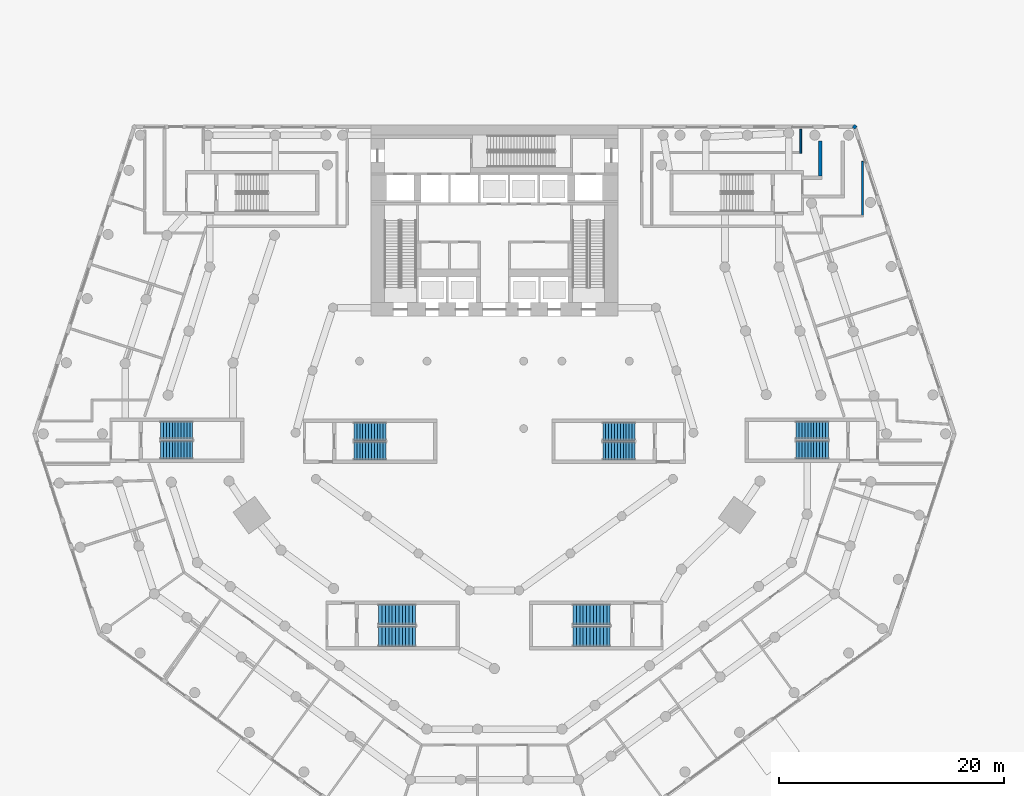
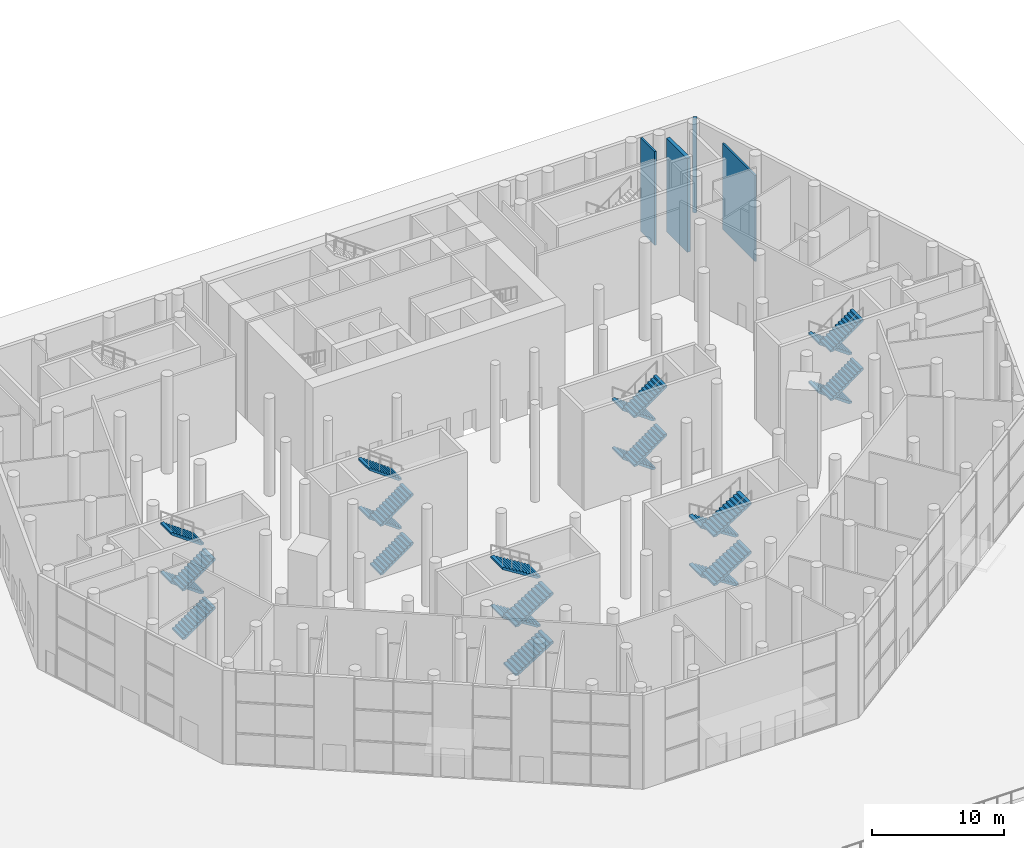
# One storey, part 17 of 25: 24 stair flights, 4 walls, 6 elements without a shape of their own.
"""IFC4 building model written with IfcOpenShell, lengths in metres."""

from ifc_helpers import new_model, si_unit, direction, frame, frame_2d, origin, place, context, subcontext, project, spatial, polyline, rectangle, outline, extrude, material, layer, layer_set, type_object, element, aggregate, save


model = new_model("IFC4")

# Units and contexts
model_context = context("Model", 3, precision=1e-05, world=origin(), true_north=direction((0.0, 1.0)))
body_context = subcontext(model_context, "Body", "Model", "MODEL_VIEW")
ifc_project = project(units=[si_unit("LENGTHUNIT", "METRE"), si_unit("AREAUNIT", "SQUARE_METRE"), si_unit("VOLUMEUNIT", "CUBIC_METRE"), si_unit("PLANEANGLEUNIT", "RADIAN"), si_unit("MASSUNIT", "GRAM", prefix="KILO")], contexts=[model_context])

# Site, building, storey
site_placement = place(None, origin())
site = spatial("IfcSite", under=ifc_project, at=site_placement, CompositionType="ELEMENT")
building_placement = place(site_placement, origin())
building = spatial("IfcBuilding", under=site, at=building_placement, Name="White Candle Pilgrim Tower", CompositionType="ELEMENT")
storey_placement = place(building_placement, origin())
storey = spatial("IfcBuildingStorey", under=building, at=storey_placement, Name="L00", CompositionType="ELEMENT", Elevation=0.0)

# Walls
ifc_material_1 = material(Name="Precast concrete C40/50", Category="concrete")
ifc_layer_1 = layer(ifc_material_1, 0.320068359375)
ifc_layer_set_1 = layer_set([ifc_layer_1], Name="Facade wall EW3 precast concrete C40/50 and stone-faced podium wall")
wall_type_1 = type_object("IfcWallType", Name="Facade wall EW3 precast concrete C40/50 and stone-faced podium wall", PredefinedType="SOLIDWALL", material=ifc_layer_set_1)
wall_1_placement = place(storey_placement, frame((102.16259765625, 87.751953125, 0.0), z_axis=(0.0, 0.0, 1.0), x_axis=(-0.809087927272, 0.587687609145, 0.0)))
element("IfcWall", 1, at=wall_1_placement, inside=storey, type_object=wall_type_1, Name="Corner pier L00 ENE", PredefinedType="SOLIDWALL", context=body_context, shape_type="SweptSolid", body=[
    extrude(rectangle(XDim=0.300048828125, YDim=0.320068359375, at=frame_2d((0.14990234375, 0.0))), origin(), (0.0, 0.0, 1.0), 8.64990234375),
])
ifc_material_2 = material(Name="Gypsum board on steel studs", Category="steel")
ifc_layer_2 = layer(ifc_material_2, 0.300048828125)
ifc_layer_set_2 = layer_set([ifc_layer_2], Name="Lobby wall 300 mm REI 240")
wall_type_2 = type_object("IfcWallType", Name="Lobby wall 300 mm REI 240", PredefinedType="PARTITIONING", material=ifc_layer_set_2)
wall_2_placement = place(storey_placement, frame((99.0, 83.449951171875, 0.0), z_axis=(0.0, 0.0, 1.0), x_axis=(0.0, 1.0, 0.0)))
element("IfcWall", 2, at=wall_2_placement, inside=storey, type_object=wall_type_2, Name="WL-L00-C84", PredefinedType="PARTITIONING", context=body_context, shape_type="SweptSolid", body=[
    extrude(rectangle(XDim=3.150146484375, YDim=0.300048828125, at=frame_2d((1.5751953125, 0.0))), origin(), (0.0, 0.0, 1.0), 8.64990234375),
])
ifc_layer_3 = layer(ifc_material_2, 0.14990234375)
ifc_layer_set_3 = layer_set([ifc_layer_3], Name="Partition 150 mm EI 60")
wall_type_3 = type_object("IfcWallType", Name="Partition 150 mm EI 60", PredefinedType="PARTITIONING", material=ifc_layer_set_3)
wall_3_placement = place(storey_placement, frame((97.25, 87.610107421875, 0.0), z_axis=(0.0, 0.0, 1.0), x_axis=(0.0, -1.0, 0.0)))
element("IfcWall", 3, at=wall_3_placement, inside=storey, type_object=wall_type_3, Name="WL-L00-P063", PredefinedType="PARTITIONING", context=body_context, shape_type="SweptSolid", body=[
    extrude(rectangle(XDim=2.1201171875, YDim=0.14990234375, at=frame_2d((1.06005859375, 0.0))), origin(), (0.0, 0.0, 1.0), 8.64990234375),
])
wall_4_placement = place(storey_placement, frame((102.75, 79.840087890625, 0.0), z_axis=(0.0, 0.0, 1.0), x_axis=(0.0, 1.0, 0.0)))
element("IfcWall", 4, at=wall_4_placement, inside=storey, type_object=wall_type_3, Name="WL-L00-P068", PredefinedType="PARTITIONING", context=body_context, shape_type="SweptSolid", body=[
    extrude(rectangle(XDim=4.940185546875, YDim=0.14990234375, at=frame_2d((2.47021484375, 0.0))), origin(), (0.0, 0.0, 1.0), 7.949951171875),
])

# Stair, stair flights
ifc_material_3 = material(Name="Concrete C40/50", Category="concrete")
stair_type_1 = type_object("IfcStairType", Name="Exit stair 4 flight width 1600 mm", PredefinedType="HALF_TURN_STAIR", material=ifc_material_3)
stair_1_placement = place(storey_placement, origin())
stair_1 = element("IfcStair", 5, at=stair_1_placement, inside=storey, type_object=stair_type_1, Name="L00 stair 4", PredefinedType="NOTDEFINED")
ifc_layer_4 = layer(ifc_material_3, 0.14990234375)
ifc_layer_set_4 = layer_set([ifc_layer_4], Name="Stair flight Concrete C40/50")
stair_flight_type = type_object("IfcStairFlightType", Name="Stair flight Concrete C40/50", PredefinedType="STRAIGHT", material=ifc_layer_set_4)
stair_flight_1_placement = place(storey_placement, frame((82.5, 60.75, 0.0), z_axis=(0.0, 0.0, 1.0), x_axis=(-1.0, 0.0, 0.0)))
stair_flight_1 = element("IfcStairFlight", 6, at=stair_flight_1_placement, type_object=stair_flight_type, Name="ST4 flight 1", NumberOfRisers=12, NumberOfTreads=11, PredefinedType="NOTDEFINED", RiserHeight=0.1875, TreadLength=0.26, context=body_context, shape_type="SweptSolid", body=[
    extrude(outline(polyline([(0.0, 0.0), (0.0, 0.1875), (0.260009765625, 0.1875), (0.260009765625, 0.375), (0.52001953125, 0.375), (0.52001953125, 0.5625), (0.780029296875, 0.5625), (0.780029296875, 0.75), (1.0400390625, 0.75), (1.0400390625, 0.9375), (1.300048828125, 0.9375), (1.300048828125, 1.125), (1.56005859375, 1.125), (1.56005859375, 1.3125), (1.820068359375, 1.3125), (1.820068359375, 1.5), (2.080078125, 1.5), (2.080078125, 1.6875), (2.340087890625, 1.6875), (2.340087890625, 1.875), (2.60009765625, 1.875), (2.60009765625, 2.0625), (2.860107421875, 2.0625), (2.860107421875, 2.25), (2.860107421875, 1.877685546875), (0.25634765625, 0.0), (0.0, 0.0)])), frame((0.0, 0.800048828125, 0.0), z_axis=(0.0, -1.0, 0.0), x_axis=(1.0, 0.0, 0.0)), (0.0, 0.0, 1.0), 1.60009765625),
])
stair_flight_2_placement = place(storey_placement, frame((79.639892578125, 59.0, 2.25), z_axis=(0.0, 0.0, 1.0), x_axis=(1.0, 0.0, 0.0)))
stair_flight_2 = element("IfcStairFlight", 7, at=stair_flight_2_placement, type_object=stair_flight_type, Name="ST4 flight 2", NumberOfRisers=12, NumberOfTreads=11, PredefinedType="NOTDEFINED", RiserHeight=0.1875, TreadLength=0.26, context=body_context, shape_type="SweptSolid", body=[
    extrude(outline(polyline([(0.0, 0.0), (0.0, 0.1875), (0.260009765625, 0.1875), (0.260009765625, 0.375), (0.52001953125, 0.375), (0.52001953125, 0.5625), (0.780029296875, 0.5625), (0.780029296875, 0.75), (1.0400390625, 0.75), (1.0400390625, 0.9375), (1.300048828125, 0.9375), (1.300048828125, 1.125), (1.56005859375, 1.125), (1.56005859375, 1.3125), (1.820068359375, 1.3125), (1.820068359375, 1.5), (2.080078125, 1.5), (2.080078125, 1.6875), (2.340087890625, 1.6875), (2.340087890625, 1.875), (2.60009765625, 1.875), (2.60009765625, 2.0625), (2.860107421875, 2.0625), (2.860107421875, 2.25), (2.860107421875, 1.877685546875), (0.25634765625, 0.0), (0.0, 0.0)])), frame((0.0, 0.800048828125, 0.0), z_axis=(0.0, -1.0, 0.0), x_axis=(1.0, 0.0, 0.0)), (0.0, 0.0, 1.0), 1.60009765625),
])
stair_flight_3_placement = place(storey_placement, frame((82.5, 60.75, 4.5), z_axis=(0.0, 0.0, 1.0), x_axis=(-1.0, 0.0, 0.0)))
stair_flight_3 = element("IfcStairFlight", 8, at=stair_flight_3_placement, type_object=stair_flight_type, Name="ST4 flight 3", NumberOfRisers=12, NumberOfTreads=11, PredefinedType="NOTDEFINED", RiserHeight=0.1875, TreadLength=0.26, context=body_context, shape_type="SweptSolid", body=[
    extrude(outline(polyline([(0.0, 0.0), (0.0, 0.1875), (0.260009765625, 0.1875), (0.260009765625, 0.375), (0.52001953125, 0.375), (0.52001953125, 0.5625), (0.780029296875, 0.5625), (0.780029296875, 0.75), (1.0400390625, 0.75), (1.0400390625, 0.9375), (1.300048828125, 0.9375), (1.300048828125, 1.125), (1.56005859375, 1.125), (1.56005859375, 1.3125), (1.820068359375, 1.3125), (1.820068359375, 1.5), (2.080078125, 1.5), (2.080078125, 1.6875), (2.340087890625, 1.6875), (2.340087890625, 1.875), (2.60009765625, 1.875), (2.60009765625, 2.0625), (2.860107421875, 2.0625), (2.860107421875, 2.25), (2.860107421875, 1.877685546875), (0.25634765625, 0.0), (0.0, 0.0)])), frame((0.0, 0.800048828125, 0.0), z_axis=(0.0, -1.0, 0.0), x_axis=(1.0, 0.0, 0.0)), (0.0, 0.0, 1.0), 1.60009765625),
])
stair_flight_4_placement = place(storey_placement, frame((79.639892578125, 59.0, 6.75), z_axis=(0.0, 0.0, 1.0), x_axis=(1.0, 0.0, 0.0)))
stair_flight_4 = element("IfcStairFlight", 9, at=stair_flight_4_placement, type_object=stair_flight_type, Name="ST4 flight 4", NumberOfRisers=12, NumberOfTreads=11, PredefinedType="NOTDEFINED", RiserHeight=0.1875, TreadLength=0.26, context=body_context, shape_type="SweptSolid", body=[
    extrude(outline(polyline([(0.0, 0.0), (0.0, 0.1875), (0.260009765625, 0.1875), (0.260009765625, 0.375), (0.52001953125, 0.375), (0.52001953125, 0.5625), (0.780029296875, 0.5625), (0.780029296875, 0.75), (1.0400390625, 0.75), (1.0400390625, 0.9375), (1.300048828125, 0.9375), (1.300048828125, 1.125), (1.56005859375, 1.125), (1.56005859375, 1.3125), (1.820068359375, 1.3125), (1.820068359375, 1.5), (2.080078125, 1.5), (2.080078125, 1.6875), (2.340087890625, 1.6875), (2.340087890625, 1.875), (2.60009765625, 1.875), (2.60009765625, 2.0625), (2.860107421875, 2.0625), (2.860107421875, 2.25), (2.860107421875, 1.877685546875), (0.25634765625, 0.0), (0.0, 0.0)])), frame((0.0, 0.800048828125, 0.0), z_axis=(0.0, -1.0, 0.0), x_axis=(1.0, 0.0, 0.0)), (0.0, 0.0, 1.0), 1.60009765625),
])
aggregate(stair_1, [stair_flight_1, stair_flight_2, stair_flight_3, stair_flight_4])

stair_type_2 = type_object("IfcStairType", Name="Exit stair 5 flight width 1600 mm", PredefinedType="HALF_TURN_STAIR", material=ifc_material_3)
stair_2_placement = place(storey_placement, origin())
stair_2 = element("IfcStair", 10, at=stair_2_placement, inside=storey, type_object=stair_type_2, Name="L00 stair 5", PredefinedType="NOTDEFINED")
stair_flight_5_placement = place(storey_placement, frame((57.5, 59.0, 0.0), z_axis=(0.0, 0.0, 1.0), x_axis=(1.0, 0.0, 0.0)))
stair_flight_5 = element("IfcStairFlight", 11, at=stair_flight_5_placement, type_object=stair_flight_type, Name="ST5 flight 1", NumberOfRisers=12, NumberOfTreads=11, PredefinedType="NOTDEFINED", RiserHeight=0.1875, TreadLength=0.26, context=body_context, shape_type="SweptSolid", body=[
    extrude(outline(polyline([(0.0, 0.0), (0.0, 0.1875), (0.260009765625, 0.1875), (0.260009765625, 0.375), (0.52001953125, 0.375), (0.52001953125, 0.5625), (0.780029296875, 0.5625), (0.780029296875, 0.75), (1.0400390625, 0.75), (1.0400390625, 0.9375), (1.300048828125, 0.9375), (1.300048828125, 1.125), (1.56005859375, 1.125), (1.56005859375, 1.3125), (1.820068359375, 1.3125), (1.820068359375, 1.5), (2.080078125, 1.5), (2.080078125, 1.6875), (2.340087890625, 1.6875), (2.340087890625, 1.875), (2.60009765625, 1.875), (2.60009765625, 2.0625), (2.860107421875, 2.0625), (2.860107421875, 2.25), (2.860107421875, 1.877685546875), (0.25634765625, 0.0), (0.0, 0.0)])), frame((0.0, 0.800048828125, 0.0), z_axis=(0.0, -1.0, 0.0), x_axis=(1.0, 0.0, 0.0)), (0.0, 0.0, 1.0), 1.60009765625),
])
stair_flight_6_placement = place(storey_placement, frame((60.360107421875, 60.75, 2.25), z_axis=(0.0, 0.0, 1.0), x_axis=(-1.0, 0.0, 0.0)))
stair_flight_6 = element("IfcStairFlight", 12, at=stair_flight_6_placement, type_object=stair_flight_type, Name="ST5 flight 2", NumberOfRisers=12, NumberOfTreads=11, PredefinedType="NOTDEFINED", RiserHeight=0.1875, TreadLength=0.26, context=body_context, shape_type="SweptSolid", body=[
    extrude(outline(polyline([(0.0, 0.0), (0.0, 0.1875), (0.260009765625, 0.1875), (0.260009765625, 0.375), (0.52001953125, 0.375), (0.52001953125, 0.5625), (0.780029296875, 0.5625), (0.780029296875, 0.75), (1.0400390625, 0.75), (1.0400390625, 0.9375), (1.300048828125, 0.9375), (1.300048828125, 1.125), (1.56005859375, 1.125), (1.56005859375, 1.3125), (1.820068359375, 1.3125), (1.820068359375, 1.5), (2.080078125, 1.5), (2.080078125, 1.6875), (2.340087890625, 1.6875), (2.340087890625, 1.875), (2.60009765625, 1.875), (2.60009765625, 2.0625), (2.860107421875, 2.0625), (2.860107421875, 2.25), (2.860107421875, 1.877685546875), (0.25634765625, 0.0), (0.0, 0.0)])), frame((0.0, 0.800048828125, 0.0), z_axis=(0.0, -1.0, 0.0), x_axis=(1.0, 0.0, 0.0)), (0.0, 0.0, 1.0), 1.60009765625),
])
stair_flight_7_placement = place(storey_placement, frame((57.5, 59.0, 4.5), z_axis=(0.0, 0.0, 1.0), x_axis=(1.0, 0.0, 0.0)))
stair_flight_7 = element("IfcStairFlight", 13, at=stair_flight_7_placement, type_object=stair_flight_type, Name="ST5 flight 3", NumberOfRisers=12, NumberOfTreads=11, PredefinedType="NOTDEFINED", RiserHeight=0.1875, TreadLength=0.26, context=body_context, shape_type="SweptSolid", body=[
    extrude(outline(polyline([(0.0, 0.0), (0.0, 0.1875), (0.260009765625, 0.1875), (0.260009765625, 0.375), (0.52001953125, 0.375), (0.52001953125, 0.5625), (0.780029296875, 0.5625), (0.780029296875, 0.75), (1.0400390625, 0.75), (1.0400390625, 0.9375), (1.300048828125, 0.9375), (1.300048828125, 1.125), (1.56005859375, 1.125), (1.56005859375, 1.3125), (1.820068359375, 1.3125), (1.820068359375, 1.5), (2.080078125, 1.5), (2.080078125, 1.6875), (2.340087890625, 1.6875), (2.340087890625, 1.875), (2.60009765625, 1.875), (2.60009765625, 2.0625), (2.860107421875, 2.0625), (2.860107421875, 2.25), (2.860107421875, 1.877685546875), (0.25634765625, 0.0), (0.0, 0.0)])), frame((0.0, 0.800048828125, 0.0), z_axis=(0.0, -1.0, 0.0), x_axis=(1.0, 0.0, 0.0)), (0.0, 0.0, 1.0), 1.60009765625),
])
stair_flight_8_placement = place(storey_placement, frame((60.360107421875, 60.75, 6.75), z_axis=(0.0, 0.0, 1.0), x_axis=(-1.0, 0.0, 0.0)))
stair_flight_8 = element("IfcStairFlight", 14, at=stair_flight_8_placement, type_object=stair_flight_type, Name="ST5 flight 4", NumberOfRisers=12, NumberOfTreads=11, PredefinedType="NOTDEFINED", RiserHeight=0.1875, TreadLength=0.26, context=body_context, shape_type="SweptSolid", body=[
    extrude(outline(polyline([(0.0, 0.0), (0.0, 0.1875), (0.260009765625, 0.1875), (0.260009765625, 0.375), (0.52001953125, 0.375), (0.52001953125, 0.5625), (0.780029296875, 0.5625), (0.780029296875, 0.75), (1.0400390625, 0.75), (1.0400390625, 0.9375), (1.300048828125, 0.9375), (1.300048828125, 1.125), (1.56005859375, 1.125), (1.56005859375, 1.3125), (1.820068359375, 1.3125), (1.820068359375, 1.5), (2.080078125, 1.5), (2.080078125, 1.6875), (2.340087890625, 1.6875), (2.340087890625, 1.875), (2.60009765625, 1.875), (2.60009765625, 2.0625), (2.860107421875, 2.0625), (2.860107421875, 2.25), (2.860107421875, 1.877685546875), (0.25634765625, 0.0), (0.0, 0.0)])), frame((0.0, 0.800048828125, 0.0), z_axis=(0.0, -1.0, 0.0), x_axis=(1.0, 0.0, 0.0)), (0.0, 0.0, 1.0), 1.60009765625),
])
aggregate(stair_2, [stair_flight_5, stair_flight_6, stair_flight_7, stair_flight_8])

stair_type_3 = type_object("IfcStairType", Name="Exit stair 6 flight width 1800 mm", PredefinedType="HALF_TURN_STAIR", material=ifc_material_3)
stair_3_placement = place(storey_placement, origin())
stair_3 = element("IfcStair", 15, at=stair_3_placement, inside=storey, type_object=stair_type_3, Name="L00 stair 6", PredefinedType="NOTDEFINED")
stair_flight_9_placement = place(storey_placement, frame((59.699951171875, 42.5, 0.0), z_axis=(0.0, 0.0, 1.0), x_axis=(1.0, 0.0, 0.0)))
stair_flight_9 = element("IfcStairFlight", 16, at=stair_flight_9_placement, type_object=stair_flight_type, Name="ST6 flight 1", NumberOfRisers=12, NumberOfTreads=11, PredefinedType="NOTDEFINED", RiserHeight=0.1875, TreadLength=0.3, context=body_context, shape_type="SweptSolid", body=[
    extrude(outline(polyline([(0.0, 0.0), (0.0, 0.1875), (0.300048828125, 0.1875), (0.300048828125, 0.375), (0.60009765625, 0.375), (0.60009765625, 0.5625), (0.89990234375, 0.5625), (0.89990234375, 0.75), (1.199951171875, 0.75), (1.199951171875, 0.9375), (1.5, 0.9375), (1.5, 1.125), (1.800048828125, 1.125), (1.800048828125, 1.3125), (2.10009765625, 1.3125), (2.10009765625, 1.5), (2.39990234375, 1.5), (2.39990234375, 1.6875), (2.699951171875, 1.6875), (2.699951171875, 1.875), (3.0, 1.875), (3.0, 2.0625), (3.300048828125, 2.0625), (3.300048828125, 2.25), (3.300048828125, 1.8857421875), (0.28271484375, 0.0), (0.0, 0.0)])), frame((0.0, 0.89990234375, 0.0), z_axis=(0.0, -1.0, 0.0), x_axis=(1.0, 0.0, 0.0)), (0.0, 0.0, 1.0), 1.800048828125),
])
stair_flight_10_placement = place(storey_placement, frame((63.0, 44.449951171875, 2.25), z_axis=(0.0, 0.0, 1.0), x_axis=(-1.0, 0.0, 0.0)))
stair_flight_10 = element("IfcStairFlight", 17, at=stair_flight_10_placement, type_object=stair_flight_type, Name="ST6 flight 2", NumberOfRisers=12, NumberOfTreads=11, PredefinedType="NOTDEFINED", RiserHeight=0.1875, TreadLength=0.3, context=body_context, shape_type="SweptSolid", body=[
    extrude(outline(polyline([(0.0, 0.0), (0.0, 0.1875), (0.300048828125, 0.1875), (0.300048828125, 0.375), (0.60009765625, 0.375), (0.60009765625, 0.5625), (0.89990234375, 0.5625), (0.89990234375, 0.75), (1.199951171875, 0.75), (1.199951171875, 0.9375), (1.5, 0.9375), (1.5, 1.125), (1.800048828125, 1.125), (1.800048828125, 1.3125), (2.10009765625, 1.3125), (2.10009765625, 1.5), (2.39990234375, 1.5), (2.39990234375, 1.6875), (2.699951171875, 1.6875), (2.699951171875, 1.875), (3.0, 1.875), (3.0, 2.0625), (3.300048828125, 2.0625), (3.300048828125, 2.25), (3.300048828125, 1.8857421875), (0.28271484375, 0.0), (0.0, 0.0)])), frame((0.0, 0.89990234375, 0.0), z_axis=(0.0, -1.0, 0.0), x_axis=(1.0, 0.0, 0.0)), (0.0, 0.0, 1.0), 1.800048828125),
])
stair_flight_11_placement = place(storey_placement, frame((59.699951171875, 42.5, 4.5), z_axis=(0.0, 0.0, 1.0), x_axis=(1.0, 0.0, 0.0)))
stair_flight_11 = element("IfcStairFlight", 18, at=stair_flight_11_placement, type_object=stair_flight_type, Name="ST6 flight 3", NumberOfRisers=12, NumberOfTreads=11, PredefinedType="NOTDEFINED", RiserHeight=0.1875, TreadLength=0.3, context=body_context, shape_type="SweptSolid", body=[
    extrude(outline(polyline([(0.0, 0.0), (0.0, 0.1875), (0.300048828125, 0.1875), (0.300048828125, 0.375), (0.60009765625, 0.375), (0.60009765625, 0.5625), (0.89990234375, 0.5625), (0.89990234375, 0.75), (1.199951171875, 0.75), (1.199951171875, 0.9375), (1.5, 0.9375), (1.5, 1.125), (1.800048828125, 1.125), (1.800048828125, 1.3125), (2.10009765625, 1.3125), (2.10009765625, 1.5), (2.39990234375, 1.5), (2.39990234375, 1.6875), (2.699951171875, 1.6875), (2.699951171875, 1.875), (3.0, 1.875), (3.0, 2.0625), (3.300048828125, 2.0625), (3.300048828125, 2.25), (3.300048828125, 1.8857421875), (0.28271484375, 0.0), (0.0, 0.0)])), frame((0.0, 0.89990234375, 0.0), z_axis=(0.0, -1.0, 0.0), x_axis=(1.0, 0.0, 0.0)), (0.0, 0.0, 1.0), 1.800048828125),
])
stair_flight_12_placement = place(storey_placement, frame((63.0, 44.449951171875, 6.75), z_axis=(0.0, 0.0, 1.0), x_axis=(-1.0, 0.0, 0.0)))
stair_flight_12 = element("IfcStairFlight", 19, at=stair_flight_12_placement, type_object=stair_flight_type, Name="ST6 flight 4", NumberOfRisers=12, NumberOfTreads=11, PredefinedType="NOTDEFINED", RiserHeight=0.1875, TreadLength=0.3, context=body_context, shape_type="SweptSolid", body=[
    extrude(outline(polyline([(0.0, 0.0), (0.0, 0.1875), (0.300048828125, 0.1875), (0.300048828125, 0.375), (0.60009765625, 0.375), (0.60009765625, 0.5625), (0.89990234375, 0.5625), (0.89990234375, 0.75), (1.199951171875, 0.75), (1.199951171875, 0.9375), (1.5, 0.9375), (1.5, 1.125), (1.800048828125, 1.125), (1.800048828125, 1.3125), (2.10009765625, 1.3125), (2.10009765625, 1.5), (2.39990234375, 1.5), (2.39990234375, 1.6875), (2.699951171875, 1.6875), (2.699951171875, 1.875), (3.0, 1.875), (3.0, 2.0625), (3.300048828125, 2.0625), (3.300048828125, 2.25), (3.300048828125, 1.8857421875), (0.28271484375, 0.0), (0.0, 0.0)])), frame((0.0, 0.89990234375, 0.0), z_axis=(0.0, -1.0, 0.0), x_axis=(1.0, 0.0, 0.0)), (0.0, 0.0, 1.0), 1.800048828125),
])
aggregate(stair_3, [stair_flight_9, stair_flight_10, stair_flight_11, stair_flight_12])

stair_type_4 = type_object("IfcStairType", Name="Exit stair 7 flight width 1800 mm", PredefinedType="HALF_TURN_STAIR", material=ifc_material_3)
stair_4_placement = place(storey_placement, origin())
stair_4 = element("IfcStair", 20, at=stair_4_placement, inside=storey, type_object=stair_type_4, Name="L00 stair 7", PredefinedType="NOTDEFINED")
stair_flight_13_placement = place(storey_placement, frame((80.300048828125, 44.449951171875, 0.0), z_axis=(0.0, 0.0, 1.0), x_axis=(-1.0, 0.0, 0.0)))
stair_flight_13 = element("IfcStairFlight", 21, at=stair_flight_13_placement, type_object=stair_flight_type, Name="ST7 flight 1", NumberOfRisers=12, NumberOfTreads=11, PredefinedType="NOTDEFINED", RiserHeight=0.1875, TreadLength=0.3, context=body_context, shape_type="SweptSolid", body=[
    extrude(outline(polyline([(0.0, 0.0), (0.0, 0.1875), (0.300048828125, 0.1875), (0.300048828125, 0.375), (0.60009765625, 0.375), (0.60009765625, 0.5625), (0.89990234375, 0.5625), (0.89990234375, 0.75), (1.199951171875, 0.75), (1.199951171875, 0.9375), (1.5, 0.9375), (1.5, 1.125), (1.800048828125, 1.125), (1.800048828125, 1.3125), (2.10009765625, 1.3125), (2.10009765625, 1.5), (2.39990234375, 1.5), (2.39990234375, 1.6875), (2.699951171875, 1.6875), (2.699951171875, 1.875), (3.0, 1.875), (3.0, 2.0625), (3.300048828125, 2.0625), (3.300048828125, 2.25), (3.300048828125, 1.8857421875), (0.28271484375, 0.0), (0.0, 0.0)])), frame((0.0, 0.89990234375, 0.0), z_axis=(0.0, -1.0, 0.0), x_axis=(1.0, 0.0, 0.0)), (0.0, 0.0, 1.0), 1.800048828125),
])
stair_flight_14_placement = place(storey_placement, frame((77.0, 42.5, 2.25), z_axis=(0.0, 0.0, 1.0), x_axis=(1.0, 0.0, 0.0)))
stair_flight_14 = element("IfcStairFlight", 22, at=stair_flight_14_placement, type_object=stair_flight_type, Name="ST7 flight 2", NumberOfRisers=12, NumberOfTreads=11, PredefinedType="NOTDEFINED", RiserHeight=0.1875, TreadLength=0.3, context=body_context, shape_type="SweptSolid", body=[
    extrude(outline(polyline([(0.0, 0.0), (0.0, 0.1875), (0.300048828125, 0.1875), (0.300048828125, 0.375), (0.60009765625, 0.375), (0.60009765625, 0.5625), (0.89990234375, 0.5625), (0.89990234375, 0.75), (1.199951171875, 0.75), (1.199951171875, 0.9375), (1.5, 0.9375), (1.5, 1.125), (1.800048828125, 1.125), (1.800048828125, 1.3125), (2.10009765625, 1.3125), (2.10009765625, 1.5), (2.39990234375, 1.5), (2.39990234375, 1.6875), (2.699951171875, 1.6875), (2.699951171875, 1.875), (3.0, 1.875), (3.0, 2.0625), (3.300048828125, 2.0625), (3.300048828125, 2.25), (3.300048828125, 1.8857421875), (0.28271484375, 0.0), (0.0, 0.0)])), frame((0.0, 0.89990234375, 0.0), z_axis=(0.0, -1.0, 0.0), x_axis=(1.0, 0.0, 0.0)), (0.0, 0.0, 1.0), 1.800048828125),
])
stair_flight_15_placement = place(storey_placement, frame((80.300048828125, 44.449951171875, 4.5), z_axis=(0.0, 0.0, 1.0), x_axis=(-1.0, 0.0, 0.0)))
stair_flight_15 = element("IfcStairFlight", 23, at=stair_flight_15_placement, type_object=stair_flight_type, Name="ST7 flight 3", NumberOfRisers=12, NumberOfTreads=11, PredefinedType="NOTDEFINED", RiserHeight=0.1875, TreadLength=0.3, context=body_context, shape_type="SweptSolid", body=[
    extrude(outline(polyline([(0.0, 0.0), (0.0, 0.1875), (0.300048828125, 0.1875), (0.300048828125, 0.375), (0.60009765625, 0.375), (0.60009765625, 0.5625), (0.89990234375, 0.5625), (0.89990234375, 0.75), (1.199951171875, 0.75), (1.199951171875, 0.9375), (1.5, 0.9375), (1.5, 1.125), (1.800048828125, 1.125), (1.800048828125, 1.3125), (2.10009765625, 1.3125), (2.10009765625, 1.5), (2.39990234375, 1.5), (2.39990234375, 1.6875), (2.699951171875, 1.6875), (2.699951171875, 1.875), (3.0, 1.875), (3.0, 2.0625), (3.300048828125, 2.0625), (3.300048828125, 2.25), (3.300048828125, 1.8857421875), (0.28271484375, 0.0), (0.0, 0.0)])), frame((0.0, 0.89990234375, 0.0), z_axis=(0.0, -1.0, 0.0), x_axis=(1.0, 0.0, 0.0)), (0.0, 0.0, 1.0), 1.800048828125),
])
stair_flight_16_placement = place(storey_placement, frame((77.0, 42.5, 6.75), z_axis=(0.0, 0.0, 1.0), x_axis=(1.0, 0.0, 0.0)))
stair_flight_16 = element("IfcStairFlight", 24, at=stair_flight_16_placement, type_object=stair_flight_type, Name="ST7 flight 4", NumberOfRisers=12, NumberOfTreads=11, PredefinedType="NOTDEFINED", RiserHeight=0.1875, TreadLength=0.3, context=body_context, shape_type="SweptSolid", body=[
    extrude(outline(polyline([(0.0, 0.0), (0.0, 0.1875), (0.300048828125, 0.1875), (0.300048828125, 0.375), (0.60009765625, 0.375), (0.60009765625, 0.5625), (0.89990234375, 0.5625), (0.89990234375, 0.75), (1.199951171875, 0.75), (1.199951171875, 0.9375), (1.5, 0.9375), (1.5, 1.125), (1.800048828125, 1.125), (1.800048828125, 1.3125), (2.10009765625, 1.3125), (2.10009765625, 1.5), (2.39990234375, 1.5), (2.39990234375, 1.6875), (2.699951171875, 1.6875), (2.699951171875, 1.875), (3.0, 1.875), (3.0, 2.0625), (3.300048828125, 2.0625), (3.300048828125, 2.25), (3.300048828125, 1.8857421875), (0.28271484375, 0.0), (0.0, 0.0)])), frame((0.0, 0.89990234375, 0.0), z_axis=(0.0, -1.0, 0.0), x_axis=(1.0, 0.0, 0.0)), (0.0, 0.0, 1.0), 1.800048828125),
])
aggregate(stair_4, [stair_flight_13, stair_flight_14, stair_flight_15, stair_flight_16])

stair_type_5 = type_object("IfcStairType", Name="Exit stair 8 flight width 1600 mm", PredefinedType="HALF_TURN_STAIR", material=ifc_material_3)
stair_5_placement = place(storey_placement, origin())
stair_5 = element("IfcStair", 25, at=stair_5_placement, inside=storey, type_object=stair_type_5, Name="L00 stair 8", PredefinedType="NOTDEFINED")
stair_flight_17_placement = place(storey_placement, frame((40.300048828125, 59.10009765625, 0.0), z_axis=(0.0, 0.0, 1.0), x_axis=(1.0, 0.0, 0.0)))
stair_flight_17 = element("IfcStairFlight", 26, at=stair_flight_17_placement, type_object=stair_flight_type, Name="ST8 flight 1", NumberOfRisers=12, NumberOfTreads=11, PredefinedType="NOTDEFINED", RiserHeight=0.1875, TreadLength=0.26, context=body_context, shape_type="SweptSolid", body=[
    extrude(outline(polyline([(0.0, 0.0), (0.0, 0.1875), (0.260009765625, 0.1875), (0.260009765625, 0.375), (0.52001953125, 0.375), (0.52001953125, 0.5625), (0.780029296875, 0.5625), (0.780029296875, 0.75), (1.0400390625, 0.75), (1.0400390625, 0.9375), (1.300048828125, 0.9375), (1.300048828125, 1.125), (1.56005859375, 1.125), (1.56005859375, 1.3125), (1.820068359375, 1.3125), (1.820068359375, 1.5), (2.080078125, 1.5), (2.080078125, 1.6875), (2.340087890625, 1.6875), (2.340087890625, 1.875), (2.60009765625, 1.875), (2.60009765625, 2.0625), (2.860107421875, 2.0625), (2.860107421875, 2.25), (2.860107421875, 1.877685546875), (0.25634765625, 0.0), (0.0, 0.0)])), frame((0.0, 0.800048828125, 0.0), z_axis=(0.0, -1.0, 0.0), x_axis=(1.0, 0.0, 0.0)), (0.0, 0.0, 1.0), 1.60009765625),
])
stair_flight_18_placement = place(storey_placement, frame((43.159912109375, 60.85009765625, 2.25), z_axis=(0.0, 0.0, 1.0), x_axis=(-1.0, 0.0, 0.0)))
stair_flight_18 = element("IfcStairFlight", 27, at=stair_flight_18_placement, type_object=stair_flight_type, Name="ST8 flight 2", NumberOfRisers=12, NumberOfTreads=11, PredefinedType="NOTDEFINED", RiserHeight=0.1875, TreadLength=0.26, context=body_context, shape_type="SweptSolid", body=[
    extrude(outline(polyline([(0.0, 0.0), (0.0, 0.1875), (0.260009765625, 0.1875), (0.260009765625, 0.375), (0.52001953125, 0.375), (0.52001953125, 0.5625), (0.780029296875, 0.5625), (0.780029296875, 0.75), (1.0400390625, 0.75), (1.0400390625, 0.9375), (1.300048828125, 0.9375), (1.300048828125, 1.125), (1.56005859375, 1.125), (1.56005859375, 1.3125), (1.820068359375, 1.3125), (1.820068359375, 1.5), (2.080078125, 1.5), (2.080078125, 1.6875), (2.340087890625, 1.6875), (2.340087890625, 1.875), (2.60009765625, 1.875), (2.60009765625, 2.0625), (2.860107421875, 2.0625), (2.860107421875, 2.25), (2.860107421875, 1.877685546875), (0.25634765625, 0.0), (0.0, 0.0)])), frame((0.0, 0.800048828125, 0.0), z_axis=(0.0, -1.0, 0.0), x_axis=(1.0, 0.0, 0.0)), (0.0, 0.0, 1.0), 1.60009765625),
])
stair_flight_19_placement = place(storey_placement, frame((40.300048828125, 59.10009765625, 4.5), z_axis=(0.0, 0.0, 1.0), x_axis=(1.0, 0.0, 0.0)))
stair_flight_19 = element("IfcStairFlight", 28, at=stair_flight_19_placement, type_object=stair_flight_type, Name="ST8 flight 3", NumberOfRisers=12, NumberOfTreads=11, PredefinedType="NOTDEFINED", RiserHeight=0.1875, TreadLength=0.26, context=body_context, shape_type="SweptSolid", body=[
    extrude(outline(polyline([(0.0, 0.0), (0.0, 0.1875), (0.260009765625, 0.1875), (0.260009765625, 0.375), (0.52001953125, 0.375), (0.52001953125, 0.5625), (0.780029296875, 0.5625), (0.780029296875, 0.75), (1.0400390625, 0.75), (1.0400390625, 0.9375), (1.300048828125, 0.9375), (1.300048828125, 1.125), (1.56005859375, 1.125), (1.56005859375, 1.3125), (1.820068359375, 1.3125), (1.820068359375, 1.5), (2.080078125, 1.5), (2.080078125, 1.6875), (2.340087890625, 1.6875), (2.340087890625, 1.875), (2.60009765625, 1.875), (2.60009765625, 2.0625), (2.860107421875, 2.0625), (2.860107421875, 2.25), (2.860107421875, 1.877685546875), (0.25634765625, 0.0), (0.0, 0.0)])), frame((0.0, 0.800048828125, 0.0), z_axis=(0.0, -1.0, 0.0), x_axis=(1.0, 0.0, 0.0)), (0.0, 0.0, 1.0), 1.60009765625),
])
stair_flight_20_placement = place(storey_placement, frame((43.159912109375, 60.85009765625, 6.75), z_axis=(0.0, 0.0, 1.0), x_axis=(-1.0, 0.0, 0.0)))
stair_flight_20 = element("IfcStairFlight", 29, at=stair_flight_20_placement, type_object=stair_flight_type, Name="ST8 flight 4", NumberOfRisers=12, NumberOfTreads=11, PredefinedType="NOTDEFINED", RiserHeight=0.1875, TreadLength=0.26, context=body_context, shape_type="SweptSolid", body=[
    extrude(outline(polyline([(0.0, 0.0), (0.0, 0.1875), (0.260009765625, 0.1875), (0.260009765625, 0.375), (0.52001953125, 0.375), (0.52001953125, 0.5625), (0.780029296875, 0.5625), (0.780029296875, 0.75), (1.0400390625, 0.75), (1.0400390625, 0.9375), (1.300048828125, 0.9375), (1.300048828125, 1.125), (1.56005859375, 1.125), (1.56005859375, 1.3125), (1.820068359375, 1.3125), (1.820068359375, 1.5), (2.080078125, 1.5), (2.080078125, 1.6875), (2.340087890625, 1.6875), (2.340087890625, 1.875), (2.60009765625, 1.875), (2.60009765625, 2.0625), (2.860107421875, 2.0625), (2.860107421875, 2.25), (2.860107421875, 1.877685546875), (0.25634765625, 0.0), (0.0, 0.0)])), frame((0.0, 0.800048828125, 0.0), z_axis=(0.0, -1.0, 0.0), x_axis=(1.0, 0.0, 0.0)), (0.0, 0.0, 1.0), 1.60009765625),
])
aggregate(stair_5, [stair_flight_17, stair_flight_18, stair_flight_19, stair_flight_20])

stair_type_6 = type_object("IfcStairType", Name="Exit stair 9 flight width 1600 mm", PredefinedType="HALF_TURN_STAIR", material=ifc_material_3)
stair_6_placement = place(storey_placement, origin())
stair_6 = element("IfcStair", 30, at=stair_6_placement, inside=storey, type_object=stair_type_6, Name="L00 stair 9", PredefinedType="NOTDEFINED")
stair_flight_21_placement = place(storey_placement, frame((99.699951171875, 60.85009765625, 0.0), z_axis=(0.0, 0.0, 1.0), x_axis=(-1.0, 0.0, 0.0)))
stair_flight_21 = element("IfcStairFlight", 31, at=stair_flight_21_placement, type_object=stair_flight_type, Name="ST9 flight 1", NumberOfRisers=12, NumberOfTreads=11, PredefinedType="NOTDEFINED", RiserHeight=0.1875, TreadLength=0.26, context=body_context, shape_type="SweptSolid", body=[
    extrude(outline(polyline([(0.0, 0.0), (0.0, 0.1875), (0.260009765625, 0.1875), (0.260009765625, 0.375), (0.52001953125, 0.375), (0.52001953125, 0.5625), (0.780029296875, 0.5625), (0.780029296875, 0.75), (1.0400390625, 0.75), (1.0400390625, 0.9375), (1.300048828125, 0.9375), (1.300048828125, 1.125), (1.56005859375, 1.125), (1.56005859375, 1.3125), (1.820068359375, 1.3125), (1.820068359375, 1.5), (2.080078125, 1.5), (2.080078125, 1.6875), (2.340087890625, 1.6875), (2.340087890625, 1.875), (2.60009765625, 1.875), (2.60009765625, 2.0625), (2.860107421875, 2.0625), (2.860107421875, 2.25), (2.860107421875, 1.877685546875), (0.25634765625, 0.0), (0.0, 0.0)])), frame((0.0, 0.800048828125, 0.0), z_axis=(0.0, -1.0, 0.0), x_axis=(1.0, 0.0, 0.0)), (0.0, 0.0, 1.0), 1.60009765625),
])
stair_flight_22_placement = place(storey_placement, frame((96.840087890625, 59.10009765625, 2.25), z_axis=(0.0, 0.0, 1.0), x_axis=(1.0, 0.0, 0.0)))
stair_flight_22 = element("IfcStairFlight", 32, at=stair_flight_22_placement, type_object=stair_flight_type, Name="ST9 flight 2", NumberOfRisers=12, NumberOfTreads=11, PredefinedType="NOTDEFINED", RiserHeight=0.1875, TreadLength=0.26, context=body_context, shape_type="SweptSolid", body=[
    extrude(outline(polyline([(0.0, 0.0), (0.0, 0.1875), (0.260009765625, 0.1875), (0.260009765625, 0.375), (0.52001953125, 0.375), (0.52001953125, 0.5625), (0.780029296875, 0.5625), (0.780029296875, 0.75), (1.0400390625, 0.75), (1.0400390625, 0.9375), (1.300048828125, 0.9375), (1.300048828125, 1.125), (1.56005859375, 1.125), (1.56005859375, 1.3125), (1.820068359375, 1.3125), (1.820068359375, 1.5), (2.080078125, 1.5), (2.080078125, 1.6875), (2.340087890625, 1.6875), (2.340087890625, 1.875), (2.60009765625, 1.875), (2.60009765625, 2.0625), (2.860107421875, 2.0625), (2.860107421875, 2.25), (2.860107421875, 1.877685546875), (0.25634765625, 0.0), (0.0, 0.0)])), frame((0.0, 0.800048828125, 0.0), z_axis=(0.0, -1.0, 0.0), x_axis=(1.0, 0.0, 0.0)), (0.0, 0.0, 1.0), 1.60009765625),
])
stair_flight_23_placement = place(storey_placement, frame((99.699951171875, 60.85009765625, 4.5), z_axis=(0.0, 0.0, 1.0), x_axis=(-1.0, 0.0, 0.0)))
stair_flight_23 = element("IfcStairFlight", 33, at=stair_flight_23_placement, type_object=stair_flight_type, Name="ST9 flight 3", NumberOfRisers=12, NumberOfTreads=11, PredefinedType="NOTDEFINED", RiserHeight=0.1875, TreadLength=0.26, context=body_context, shape_type="SweptSolid", body=[
    extrude(outline(polyline([(0.0, 0.0), (0.0, 0.1875), (0.260009765625, 0.1875), (0.260009765625, 0.375), (0.52001953125, 0.375), (0.52001953125, 0.5625), (0.780029296875, 0.5625), (0.780029296875, 0.75), (1.0400390625, 0.75), (1.0400390625, 0.9375), (1.300048828125, 0.9375), (1.300048828125, 1.125), (1.56005859375, 1.125), (1.56005859375, 1.3125), (1.820068359375, 1.3125), (1.820068359375, 1.5), (2.080078125, 1.5), (2.080078125, 1.6875), (2.340087890625, 1.6875), (2.340087890625, 1.875), (2.60009765625, 1.875), (2.60009765625, 2.0625), (2.860107421875, 2.0625), (2.860107421875, 2.25), (2.860107421875, 1.877685546875), (0.25634765625, 0.0), (0.0, 0.0)])), frame((0.0, 0.800048828125, 0.0), z_axis=(0.0, -1.0, 0.0), x_axis=(1.0, 0.0, 0.0)), (0.0, 0.0, 1.0), 1.60009765625),
])
stair_flight_24_placement = place(storey_placement, frame((96.840087890625, 59.10009765625, 6.75), z_axis=(0.0, 0.0, 1.0), x_axis=(1.0, 0.0, 0.0)))
stair_flight_24 = element("IfcStairFlight", 34, at=stair_flight_24_placement, type_object=stair_flight_type, Name="ST9 flight 4", NumberOfRisers=12, NumberOfTreads=11, PredefinedType="NOTDEFINED", RiserHeight=0.1875, TreadLength=0.26, context=body_context, shape_type="SweptSolid", body=[
    extrude(outline(polyline([(0.0, 0.0), (0.0, 0.1875), (0.260009765625, 0.1875), (0.260009765625, 0.375), (0.52001953125, 0.375), (0.52001953125, 0.5625), (0.780029296875, 0.5625), (0.780029296875, 0.75), (1.0400390625, 0.75), (1.0400390625, 0.9375), (1.300048828125, 0.9375), (1.300048828125, 1.125), (1.56005859375, 1.125), (1.56005859375, 1.3125), (1.820068359375, 1.3125), (1.820068359375, 1.5), (2.080078125, 1.5), (2.080078125, 1.6875), (2.340087890625, 1.6875), (2.340087890625, 1.875), (2.60009765625, 1.875), (2.60009765625, 2.0625), (2.860107421875, 2.0625), (2.860107421875, 2.25), (2.860107421875, 1.877685546875), (0.25634765625, 0.0), (0.0, 0.0)])), frame((0.0, 0.800048828125, 0.0), z_axis=(0.0, -1.0, 0.0), x_axis=(1.0, 0.0, 0.0)), (0.0, 0.0, 1.0), 1.60009765625),
])
aggregate(stair_6, [stair_flight_21, stair_flight_22, stair_flight_23, stair_flight_24])

save(model, "model.ifc")
